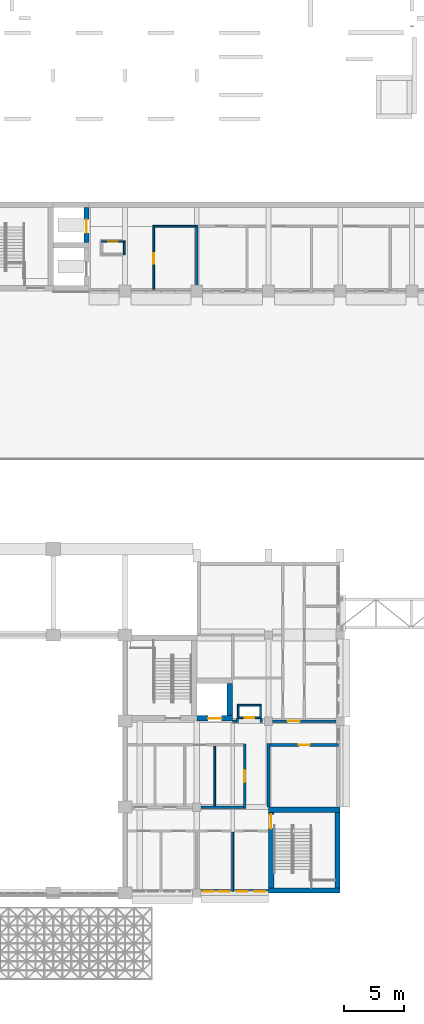
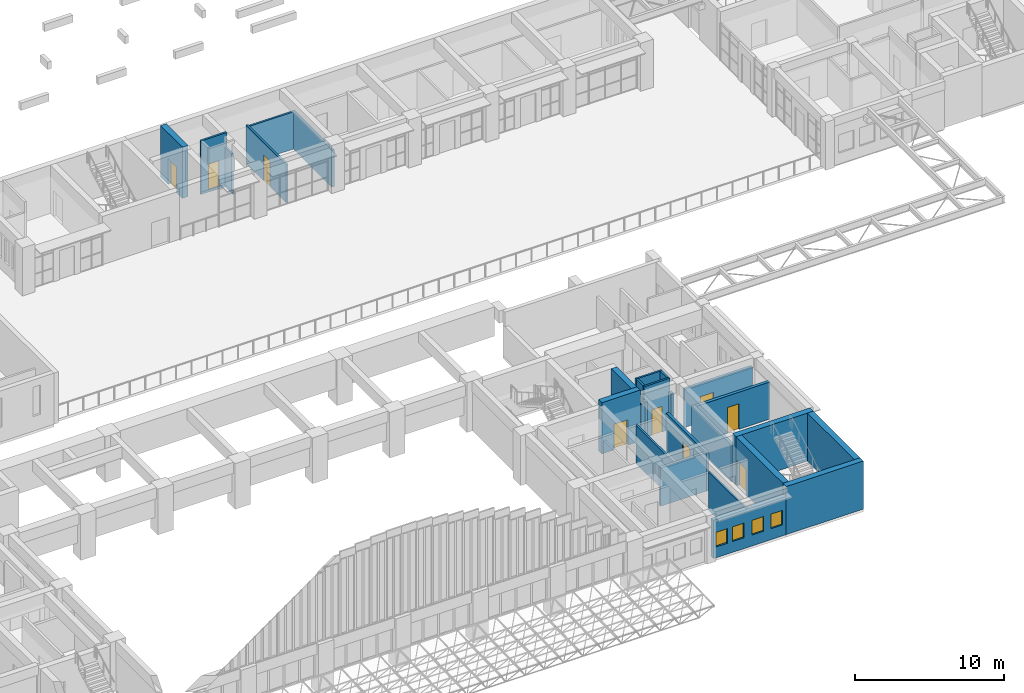
# One storey, part 67 of 103: 29 walls, 9 doors, 4 windows, 13 openings.
"""IFC4 building model written with IfcOpenShell, lengths in metres."""

from ifc_helpers import new_model, si_unit, direction, frame, frame_2d, origin, place, context, subcontext, project, spatial, rectangle, extrude, material, layer, layer_set, type_object, element, fill, save


model = new_model("IFC4")

# Units and contexts
model_context = context("Model", 3, precision=1e-05, world=origin(), true_north=direction((0.0, 1.0)))
body_context = subcontext(model_context, "Body", "Model", "MODEL_VIEW")
ifc_project = project(units=[si_unit("LENGTHUNIT", "METRE"), si_unit("AREAUNIT", "SQUARE_METRE"), si_unit("VOLUMEUNIT", "CUBIC_METRE"), si_unit("PLANEANGLEUNIT", "RADIAN"), si_unit("MASSUNIT", "GRAM", prefix="KILO")], contexts=[model_context])

# Site, building, storey
site_placement = place(None, origin())
site = spatial("IfcSite", under=ifc_project, at=site_placement, CompositionType="ELEMENT")
building_placement = place(site_placement, origin())
building = spatial("IfcBuilding", under=site, at=building_placement, Name="Laocheng Heights Fire and Rescue Headquarters", CompositionType="ELEMENT")
storey_placement = place(building_placement, frame((0.0, 0.0, 4.199951171875)))
storey = spatial("IfcBuildingStorey", under=building, at=storey_placement, Name="L01", CompositionType="ELEMENT", Elevation=4.199951171875)

# Wall, opening, door
ifc_material_1 = material(Name="Gypsum plaster")
ifc_layer_1 = layer(ifc_material_1, 0.010009765625, Name="PLASTER", Category="plaster")
ifc_material_2 = material(Name="Concrete blockwork MU10", Category="masonry")
ifc_layer_2 = layer(ifc_material_2, 0.1298828125, Name="BLOCKWORK", Category="masonry")
ifc_layer_3 = layer(ifc_material_1, 0.010009765625, Name="PLASTER", Category="plaster")
ifc_layer_set_1 = layer_set([ifc_layer_1, ifc_layer_2, ifc_layer_3], Name="Concrete blockwork MU10")
wall_type_1 = type_object("IfcWallType", Name="BLOCKWORK CORRIDOR WALL 150 EI 60 HQ WING", PredefinedType="PARTITIONING", material=ifc_layer_set_1)
wall_1_placement = place(storey_placement, frame((56.39990234375, 50.47509765625, 0.0), z_axis=(0.0, 0.0, 1.0), x_axis=(0.0, 1.0, 0.0)))
wall_1 = element("IfcWall", 1, at=wall_1_placement, inside=storey, type_object=wall_type_1, Name="Partition L01-002", PredefinedType="PARTITIONING", context=body_context, shape_type="SweptSolid", body=[
    extrude(rectangle(XDim=5.39990234375, YDim=0.14990234375, at=frame_2d((2.699951171875, 0.0))), origin(), (0.0, 0.0, 1.0), 3.150146484375),
])
opening_1_placement = place(wall_1_placement, frame((2.175048828125, 0.0, 0.0)))
opening_1 = element("IfcOpeningElement", 2, at=opening_1_placement, cuts=wall_1, Name="Opening L01-Y02", PredefinedType="OPENING", context=body_context, shape_type="SweptSolid", body=[
    extrude(rectangle(XDim=0.89990234375, YDim=2.10009765625, at=frame_2d((0.449951171875, 1.050048828125))), frame((0.0, 0.0849609375, 0.0), z_axis=(0.0, -1.0, 0.0), x_axis=(1.0, 0.0, 0.0)), (0.0, 0.0, 1.0), 0.169921875),
])
ifc_material_3 = material(Name="Timber door leaf, veneered", Category="wood")
door_type_1 = type_object("IfcDoorType", Name="TIMBER DOOR 900x2100 EI 30 HQ WING", OperationType="SINGLE_SWING_LEFT", PredefinedType="DOOR", material=ifc_material_3)
door_1_placement = place(opening_1_placement, frame((0.89990234375, 0.0, 0.0), z_axis=(0.0, 0.0, 1.0), x_axis=(-1.0, 0.0, 0.0)))
door_1 = element("IfcDoor", 3, at=door_1_placement, inside=storey, type_object=door_type_1, Name="Door L01-Y02", OperationType="SINGLE_SWING_LEFT", OverallHeight=2.10009765625, OverallWidth=0.89990234375, PredefinedType="DOOR", context=body_context, shape_type="SweptSolid", body=[
    extrude(rectangle(XDim=0.89990234375, YDim=2.10009765625, at=frame_2d((0.449951171875, 1.050048828125))), frame((0.0, 0.02490234375, 0.0), z_axis=(0.0, -1.0, 0.0), x_axis=(1.0, 0.0, 0.0)), (0.0, 0.0, 1.0), 0.050048828125),
])
fill(opening_1, door_1)

# Walls
wall_2_placement = place(storey_placement, frame((56.47509765625, 55.800048828125, 0.0), z_axis=(0.0, 0.0, 1.0), x_axis=(1.0, 0.0, 0.0)))
element("IfcWall", 4, at=wall_2_placement, inside=storey, type_object=wall_type_1, Name="Partition L01-008", PredefinedType="PARTITIONING", context=body_context, shape_type="SweptSolid", body=[
    extrude(rectangle(XDim=3.4248046875, YDim=0.14990234375, at=frame_2d((1.71240234375, 0.0))), origin(), (0.0, 0.0, 1.0), 3.050048828125),
])
ifc_material_4 = material(Name="Gypsum plaster")
ifc_layer_4 = layer(ifc_material_4, 0.010009765625, Name="PLASTER", Category="plaster")
ifc_material_5 = material(Name="Concrete blockwork MU10", Category="masonry")
ifc_layer_5 = layer(ifc_material_5, 0.179931640625, Name="BLOCKWORK", Category="masonry")
ifc_layer_6 = layer(ifc_material_4, 0.010009765625, Name="PLASTER", Category="plaster")
ifc_layer_set_2 = layer_set([ifc_layer_4, ifc_layer_5, ifc_layer_6], Name="Concrete blockwork MU10")
wall_type_2 = type_object("IfcWallType", Name="BLOCKWORK FIRE PARTITION 200 EI 120 HQ WING", PredefinedType="PARTITIONING", material=ifc_layer_set_2)
wall_3_placement = place(storey_placement, frame((60.0, 50.550048828125, 0.0), z_axis=(0.0, 0.0, 1.0), x_axis=(0.0, 1.0, 0.0)))
element("IfcWall", 5, at=wall_3_placement, inside=storey, type_object=wall_type_2, Name="Partition L01-003", PredefinedType="PARTITIONING", context=body_context, shape_type="SweptSolid", body=[
    extrude(rectangle(XDim=5.349853515625, YDim=0.199951171875, at=frame_2d((2.6748046875, 0.0))), origin(), (0.0, 0.0, 1.0), 3.050048828125),
])
ifc_material_6 = material(Name="Gypsum plaster")
ifc_layer_7 = layer(ifc_material_6, 0.010009765625, Name="PLASTER", Category="plaster")
ifc_material_7 = material(Name="Concrete blockwork MU10", Category="masonry")
ifc_layer_8 = layer(ifc_material_7, 0.179931640625, Name="BLOCKWORK", Category="masonry")
ifc_layer_9 = layer(ifc_material_6, 0.010009765625, Name="PLASTER", Category="plaster")
ifc_layer_set_3 = layer_set([ifc_layer_7, ifc_layer_8, ifc_layer_9], Name="Concrete blockwork MU10")
wall_type_3 = type_object("IfcWallType", Name="BLOCKWORK FIRE PARTITION 200 EI 60 BAY", PredefinedType="PARTITIONING", material=ifc_layer_set_3)
wall_4_placement = place(storey_placement, frame((63.39990234375, 14.300048828125, 0.0), z_axis=(0.0, 0.0, 1.0), x_axis=(0.0, 1.0, 0.0)))
element("IfcWall", 6, at=wall_4_placement, inside=storey, type_object=wall_type_3, Name="Partition L01-019", PredefinedType="PARTITIONING", context=body_context, shape_type="SweptSolid", body=[
    extrude(rectangle(XDim=0.300048828125, YDim=0.199951171875, at=frame_2d((0.14990234375, 0.0))), origin(), (0.0, 0.0, 1.0), 3.150146484375),
])

# Wall, opening, door
wall_5_placement = place(storey_placement, frame((64.0, 7.10009765625, 0.0), z_axis=(0.0, 0.0, 1.0), x_axis=(0.0, 1.0, 0.0)))
wall_5 = element("IfcWall", 7, at=wall_5_placement, inside=storey, type_object=wall_type_3, Name="Partition L01-020", PredefinedType="PARTITIONING", context=body_context, shape_type="SweptSolid", body=[
    extrude(rectangle(XDim=5.39990234375, YDim=0.199951171875, at=frame_2d((2.699951171875, 0.0))), origin(), (0.0, 0.0, 1.0), 3.150146484375),
])
opening_2_placement = place(wall_5_placement, frame((2.199951171875, 0.0, 0.0)))
opening_2 = element("IfcOpeningElement", 8, at=opening_2_placement, cuts=wall_5, Name="Opening L01-I25", PredefinedType="OPENING", context=body_context, shape_type="SweptSolid", body=[
    extrude(rectangle(XDim=1.0, YDim=2.10009765625, at=frame_2d((0.5, 1.050048828125))), frame((0.0, 0.10986328125, 0.0), z_axis=(0.0, -1.0, 0.0), x_axis=(1.0, 0.0, 0.0)), (0.0, 0.0, 1.0), 0.219970703125),
])
ifc_material_8 = material(Name="Steel door leaf, painted", Category="steel")
door_type_2 = type_object("IfcDoorType", Name="STEEL FIRE DOOR 1000x2100 EI 60 BAY", OperationType="SINGLE_SWING_LEFT", PredefinedType="DOOR", material=ifc_material_8)
door_2_placement = place(opening_2_placement, origin())
door_2 = element("IfcDoor", 9, at=door_2_placement, inside=storey, type_object=door_type_2, Name="Door L01-I25", OperationType="SINGLE_SWING_RIGHT", OverallHeight=2.10009765625, OverallWidth=1.0, PredefinedType="DOOR", context=body_context, shape_type="SweptSolid", body=[
    extrude(rectangle(XDim=1.0, YDim=2.10009765625, at=frame_2d((0.5, 1.050048828125))), frame((0.0, 0.02490234375, 0.0), z_axis=(0.0, -1.0, 0.0), x_axis=(1.0, 0.0, 0.0)), (0.0, 0.0, 1.0), 0.050048828125),
])
fill(opening_2, door_2)

# Walls
wall_6_placement = place(storey_placement, frame((65.39990234375, 14.300048828125, 0.0), z_axis=(0.0, 0.0, 1.0), x_axis=(0.0, 1.0, 0.0)))
element("IfcWall", 10, at=wall_6_placement, inside=storey, type_object=wall_type_3, Name="Partition L01-021", PredefinedType="PARTITIONING", context=body_context, shape_type="SweptSolid", body=[
    extrude(rectangle(XDim=0.300048828125, YDim=0.199951171875, at=frame_2d((0.14990234375, 0.0))), origin(), (0.0, 0.0, 1.0), 3.150146484375),
])
wall_7_placement = place(storey_placement, frame((60.35009765625, 7.199951171875, 0.0), z_axis=(0.0, 0.0, 1.0), x_axis=(1.0, 0.0, 0.0)))
element("IfcWall", 11, at=wall_7_placement, inside=storey, type_object=wall_type_3, Name="Partition L01-031", PredefinedType="PARTITIONING", context=body_context, shape_type="SweptSolid", body=[
    extrude(rectangle(XDim=3.5498046875, YDim=0.199951171875, at=frame_2d((1.77490234375, 0.0))), origin(), (0.0, 0.0, 1.0), 3.150146484375),
])
wall_8_placement = place(storey_placement, frame((63.0, 14.39990234375, 0.0), z_axis=(0.0, 0.0, 1.0), x_axis=(1.0, 0.0, 0.0)))
element("IfcWall", 12, at=wall_8_placement, inside=storey, type_object=wall_type_3, Name="Partition L01-037", PredefinedType="PARTITIONING", context=body_context, shape_type="SweptSolid", body=[
    extrude(rectangle(XDim=0.300048828125, YDim=0.199951171875, at=frame_2d((0.14990234375, 0.0))), origin(), (0.0, 0.0, 1.0), 3.150146484375),
])

# Wall, opening, door
wall_9_placement = place(storey_placement, frame((66.35009765625, 14.39990234375, 0.0), z_axis=(0.0, 0.0, 1.0), x_axis=(1.0, 0.0, 0.0)))
wall_9 = element("IfcWall", 13, at=wall_9_placement, inside=storey, type_object=wall_type_3, Name="Partition L01-038", PredefinedType="PARTITIONING", context=body_context, shape_type="SweptSolid", body=[
    extrude(rectangle(XDim=5.2998046875, YDim=0.199951171875, at=frame_2d((2.64990234375, 0.0))), origin(), (0.0, 0.0, 1.0), 3.150146484375),
])
opening_3_placement = place(wall_9_placement, frame((1.25, 0.0, 0.0)))
opening_3 = element("IfcOpeningElement", 14, at=opening_3_placement, cuts=wall_9, Name="Opening L01-I12", PredefinedType="OPENING", context=body_context, shape_type="SweptSolid", body=[
    extrude(rectangle(XDim=1.0, YDim=2.10009765625, at=frame_2d((0.5, 1.050048828125))), frame((0.0, 0.10986328125, 0.0), z_axis=(0.0, -1.0, 0.0), x_axis=(1.0, 0.0, 0.0)), (0.0, 0.0, 1.0), 0.219970703125),
])
door_3_placement = place(opening_3_placement, origin())
door_3 = element("IfcDoor", 15, at=door_3_placement, inside=storey, type_object=door_type_2, Name="Door L01-I12", OperationType="SINGLE_SWING_LEFT", OverallHeight=2.10009765625, OverallWidth=1.0, PredefinedType="DOOR", context=body_context, shape_type="SweptSolid", body=[
    extrude(rectangle(XDim=1.0, YDim=2.10009765625, at=frame_2d((0.5, 1.050048828125))), frame((0.0, 0.02490234375, 0.0), z_axis=(0.0, -1.0, 0.0), x_axis=(1.0, 0.0, 0.0)), (0.0, 0.0, 1.0), 0.050048828125),
])
fill(opening_3, door_3)

# Walls
ifc_material_9 = material(Name="Gypsum plaster")
ifc_layer_10 = layer(ifc_material_9, 0.010009765625, Name="PLASTER", Category="plaster")
ifc_material_10 = material(Name="Concrete blockwork MU10", Category="masonry")
ifc_layer_11 = layer(ifc_material_10, 0.1298828125, Name="BLOCKWORK", Category="masonry")
ifc_layer_12 = layer(ifc_material_9, 0.010009765625, Name="PLASTER", Category="plaster")
ifc_layer_set_4 = layer_set([ifc_layer_10, ifc_layer_11, ifc_layer_12], Name="Concrete blockwork MU10")
wall_type_4 = type_object("IfcWallType", Name="BLOCKWORK PARTITION 150 EI 45 BAY", PredefinedType="PARTITIONING", material=ifc_layer_set_4)
wall_10_placement = place(storey_placement, frame((61.5, 7.300048828125, 0.0), z_axis=(0.0, 0.0, 1.0), x_axis=(0.0, 1.0, 0.0)))
element("IfcWall", 16, at=wall_10_placement, inside=storey, type_object=wall_type_4, Name="Partition L01-016", PredefinedType="PARTITIONING", context=body_context, shape_type="SweptSolid", body=[
    extrude(rectangle(XDim=5.0, YDim=0.14990234375, at=frame_2d((2.5, 0.0))), origin(), (0.0, 0.0, 1.0), 3.150146484375),
])
wall_11_placement = place(storey_placement, frame((63.0, 0.14990234375, 0.0), z_axis=(0.0, 0.0, 1.0), x_axis=(0.0, 1.0, 0.0)))
element("IfcWall", 17, at=wall_11_placement, inside=storey, type_object=wall_type_4, Name="Partition L01-017", PredefinedType="PARTITIONING", context=body_context, shape_type="SweptSolid", body=[
    extrude(rectangle(XDim=4.9501953125, YDim=0.14990234375, at=frame_2d((2.47509765625, 0.0))), origin(), (0.0, 0.0, 1.0), 3.150146484375),
])
ifc_material_11 = material(Name="Gypsum plaster")
ifc_layer_13 = layer(ifc_material_11, 0.010009765625, Name="PLASTER", Category="plaster")
ifc_material_12 = material(Name="Clay brick masonry MU10", Category="masonry")
ifc_layer_14 = layer(ifc_material_12, 0.219970703125, Name="BLOCKWORK", Category="masonry")
ifc_layer_15 = layer(ifc_material_11, 0.010009765625, Name="PLASTER", Category="plaster")
ifc_layer_set_5 = layer_set([ifc_layer_13, ifc_layer_14, ifc_layer_15], Name="Clay brick masonry MU10")
wall_type_5 = type_object("IfcWallType", Name="CLAY BRICK WALL 240 EI 120 BAY", PredefinedType="PARTITIONING", material=ifc_layer_set_5)
wall_12_placement = place(storey_placement, frame((66.0, 7.199951171875, 0.0), z_axis=(0.0, 0.0, 1.0), x_axis=(0.0, 1.0, 0.0)))
element("IfcWall", 18, at=wall_12_placement, inside=storey, type_object=wall_type_5, Name="Partition L01-022", PredefinedType="PARTITIONING", context=body_context, shape_type="SweptSolid", body=[
    extrude(rectangle(XDim=5.320068359375, YDim=0.239990234375, at=frame_2d((2.66015625, 0.0))), origin(), (0.0, 0.0, 1.0), 3.050048828125),
])

# Wall, opening, door
wall_13_placement = place(storey_placement, frame((66.1201171875, 12.39990234375, 0.0), z_axis=(0.0, 0.0, 1.0), x_axis=(1.0, 0.0, 0.0)))
wall_13 = element("IfcWall", 19, at=wall_13_placement, inside=storey, type_object=wall_type_5, Name="Partition L01-035", PredefinedType="PARTITIONING", context=body_context, shape_type="SweptSolid", body=[
    extrude(rectangle(XDim=5.72998046875, YDim=0.239990234375, at=frame_2d((2.864990234375, 0.0))), origin(), (0.0, 0.0, 1.0), 3.050048828125),
])
opening_4_placement = place(wall_13_placement, frame((2.4150390625, 0.0, 0.0)))
opening_4 = element("IfcOpeningElement", 20, at=opening_4_placement, cuts=wall_13, Name="Opening L01-I06", PredefinedType="OPENING", context=body_context, shape_type="SweptSolid", body=[
    extrude(rectangle(XDim=0.89990234375, YDim=2.10009765625, at=frame_2d((0.449951171875, 1.050048828125))), frame((0.0, 0.1298828125, 0.0), z_axis=(0.0, -1.0, 0.0), x_axis=(1.0, 0.0, 0.0)), (0.0, 0.0, 1.0), 0.260009765625),
])
ifc_material_13 = material(Name="Steel door leaf, painted", Category="steel")
door_type_3 = type_object("IfcDoorType", Name="STEEL FIRE DOOR 900x2100 EI 120 BAY", OperationType="SINGLE_SWING_LEFT", PredefinedType="DOOR", material=ifc_material_13)
door_4_placement = place(opening_4_placement, frame((0.89990234375, 0.0, 0.0), z_axis=(0.0, 0.0, 1.0), x_axis=(-1.0, 0.0, 0.0)))
door_4 = element("IfcDoor", 21, at=door_4_placement, inside=storey, type_object=door_type_3, Name="Door L01-I06", OperationType="SINGLE_SWING_LEFT", OverallHeight=2.10009765625, OverallWidth=0.89990234375, PredefinedType="DOOR", context=body_context, shape_type="SweptSolid", body=[
    extrude(rectangle(XDim=0.89990234375, YDim=2.10009765625, at=frame_2d((0.449951171875, 1.050048828125))), frame((0.0, 0.02490234375, 0.0), z_axis=(0.0, -1.0, 0.0), x_axis=(1.0, 0.0, 0.0)), (0.0, 0.0, 1.0), 0.050048828125),
])
fill(opening_4, door_4)

# Wall, openings, windows
ifc_material_14 = material(Name="Precast concrete C40/50", Category="concrete")
ifc_layer_16 = layer(ifc_material_14, 0.300048828125)
ifc_layer_set_6 = layer_set([ifc_layer_16], Name="Precast concrete C40/50")
wall_type_6 = type_object("IfcWallType", Name="PRECAST PANEL WALL 300 EAST FLANK", PredefinedType="SOLIDWALL", material=ifc_layer_set_6)
wall_14_placement = place(storey_placement, frame((60.35009765625, 0.14990234375, 0.0), z_axis=(0.0, 0.0, 1.0), x_axis=(1.0, 0.0, 0.0)))
wall_14 = element("IfcWall", 22, at=wall_14_placement, inside=storey, type_object=wall_type_6, Name="Flank E wall L01", PredefinedType="SOLIDWALL", context=body_context, shape_type="SweptSolid", body=[
    extrude(rectangle(XDim=5.64990234375, YDim=0.300048828125, at=frame_2d((2.824951171875, 0.0))), origin(), (0.0, 0.0, 1.0), 3.150146484375),
])
opening_5_placement = place(wall_14_placement, frame((0.193603515625, 0.0, 0.89990234375)))
opening_5 = element("IfcOpeningElement", 23, at=opening_5_placement, cuts=wall_14, Name="Opening N2-E", PredefinedType="OPENING", context=body_context, shape_type="SweptSolid", body=[
    extrude(rectangle(XDim=0.89990234375, YDim=1.199951171875, at=frame_2d((0.449951171875, 0.60009765625))), frame((0.0, 0.159912109375, 0.0), z_axis=(0.0, -1.0, 0.0), x_axis=(1.0, 0.0, 0.0)), (0.0, 0.0, 1.0), 0.320068359375),
])
opening_6_placement = place(wall_14_placement, frame((1.481201171875, 0.0, 0.89990234375)))
opening_6 = element("IfcOpeningElement", 24, at=opening_6_placement, cuts=wall_14, Name="Opening N2-E", PredefinedType="OPENING", context=body_context, shape_type="SweptSolid", body=[
    extrude(rectangle(XDim=0.89990234375, YDim=1.199951171875, at=frame_2d((0.449951171875, 0.60009765625))), frame((0.0, 0.159912109375, 0.0), z_axis=(0.0, -1.0, 0.0), x_axis=(1.0, 0.0, 0.0)), (0.0, 0.0, 1.0), 0.320068359375),
])
opening_7_placement = place(wall_14_placement, frame((3.00634765625, 0.0, 0.89990234375)))
opening_7 = element("IfcOpeningElement", 25, at=opening_7_placement, cuts=wall_14, Name="Opening N2-E", PredefinedType="OPENING", context=body_context, shape_type="SweptSolid", body=[
    extrude(rectangle(XDim=0.89990234375, YDim=1.199951171875, at=frame_2d((0.449951171875, 0.60009765625))), frame((0.0, 0.159912109375, 0.0), z_axis=(0.0, -1.0, 0.0), x_axis=(1.0, 0.0, 0.0)), (0.0, 0.0, 1.0), 0.320068359375),
])
opening_8_placement = place(wall_14_placement, frame((4.46875, 0.0, 0.89990234375)))
opening_8 = element("IfcOpeningElement", 26, at=opening_8_placement, cuts=wall_14, Name="Opening N2-E", PredefinedType="OPENING", context=body_context, shape_type="SweptSolid", body=[
    extrude(rectangle(XDim=0.89990234375, YDim=1.199951171875, at=frame_2d((0.449951171875, 0.60009765625))), frame((0.0, 0.159912109375, 0.0), z_axis=(0.0, -1.0, 0.0), x_axis=(1.0, 0.0, 0.0)), (0.0, 0.0, 1.0), 0.320068359375),
])
ifc_material_15 = material(Name="Low-e double glazing in thermally broken aluminium frame", Category="aluminium")
window_type = type_object("IfcWindowType", Name="PUNCHED WINDOW STEEL FRAME 900 x 1200 SILL 900", PartitioningType="SINGLE_PANEL", PredefinedType="WINDOW", material=ifc_material_15)
window_1_placement = place(opening_5_placement, origin())
window_1 = element("IfcWindow", 27, at=window_1_placement, inside=storey, type_object=window_type, Name="Flank_E window L01", OverallHeight=1.199951171875, OverallWidth=0.89990234375, PartitioningType="SINGLE_PANEL", PredefinedType="WINDOW", context=body_context, shape_type="SweptSolid", body=[
    extrude(rectangle(XDim=0.89990234375, YDim=1.199951171875, at=frame_2d((0.449951171875, 0.60009765625))), frame((0.0, 0.030029296875, 0.0), z_axis=(0.0, -1.0, 0.0), x_axis=(1.0, 0.0, 0.0)), (0.0, 0.0, 1.0), 0.06005859375),
])
fill(opening_5, window_1)
window_2_placement = place(opening_6_placement, origin())
window_2 = element("IfcWindow", 28, at=window_2_placement, inside=storey, type_object=window_type, Name="Flank_E window L01", OverallHeight=1.199951171875, OverallWidth=0.89990234375, PartitioningType="SINGLE_PANEL", PredefinedType="WINDOW", context=body_context, shape_type="SweptSolid", body=[
    extrude(rectangle(XDim=0.89990234375, YDim=1.199951171875, at=frame_2d((0.449951171875, 0.60009765625))), frame((0.0, 0.030029296875, 0.0), z_axis=(0.0, -1.0, 0.0), x_axis=(1.0, 0.0, 0.0)), (0.0, 0.0, 1.0), 0.06005859375),
])
fill(opening_6, window_2)
window_3_placement = place(opening_7_placement, origin())
window_3 = element("IfcWindow", 29, at=window_3_placement, inside=storey, type_object=window_type, Name="Flank_E window L01", OverallHeight=1.199951171875, OverallWidth=0.89990234375, PartitioningType="SINGLE_PANEL", PredefinedType="WINDOW", context=body_context, shape_type="SweptSolid", body=[
    extrude(rectangle(XDim=0.89990234375, YDim=1.199951171875, at=frame_2d((0.449951171875, 0.60009765625))), frame((0.0, 0.030029296875, 0.0), z_axis=(0.0, -1.0, 0.0), x_axis=(1.0, 0.0, 0.0)), (0.0, 0.0, 1.0), 0.06005859375),
])
fill(opening_7, window_3)
window_4_placement = place(opening_8_placement, origin())
window_4 = element("IfcWindow", 30, at=window_4_placement, inside=storey, type_object=window_type, Name="Flank_E window L01", OverallHeight=1.199951171875, OverallWidth=0.89990234375, PartitioningType="SINGLE_PANEL", PredefinedType="WINDOW", context=body_context, shape_type="SweptSolid", body=[
    extrude(rectangle(XDim=0.89990234375, YDim=1.199951171875, at=frame_2d((0.449951171875, 0.60009765625))), frame((0.0, 0.030029296875, 0.0), z_axis=(0.0, -1.0, 0.0), x_axis=(1.0, 0.0, 0.0)), (0.0, 0.0, 1.0), 0.06005859375),
])
fill(opening_8, window_4)

# Wall, opening, door
ifc_material_16 = material(Name="Concrete C50", Category="concrete")
ifc_layer_17 = layer(ifc_material_16, 0.449951171875)
ifc_layer_set_7 = layer_set([ifc_layer_17], Name="Concrete C50")
wall_type_7 = type_object("IfcWallType", Name="RC LIFT SHAFT WALL 450", PredefinedType="SHEAR", material=ifc_layer_set_7)
wall_15_placement = place(storey_placement, frame((60.0, 14.625, 0.0), z_axis=(0.0, 0.0, 1.0), x_axis=(1.0, 0.0, 0.0)))
wall_15 = element("IfcWall", 31, at=wall_15_placement, inside=storey, type_object=wall_type_7, Name="Lift shaft wall", PredefinedType="SHEAR", context=body_context, shape_type="SweptSolid", body=[
    extrude(rectangle(XDim=3.0, YDim=0.449951171875, at=frame_2d((1.5, 0.0))), origin(), (0.0, 0.0, 1.0), 4.199951171875),
])
opening_9_placement = place(wall_15_placement, frame((0.949951171875, 0.0, 0.0)))
opening_9 = element("IfcOpeningElement", 32, at=opening_9_placement, cuts=wall_15, Name="Opening L01-K06", PredefinedType="OPENING", context=body_context, shape_type="SweptSolid", body=[
    extrude(rectangle(XDim=1.10009765625, YDim=2.10009765625, at=frame_2d((0.550048828125, 1.050048828125))), frame((0.0, 0.23486328125, 0.0), z_axis=(0.0, -1.0, 0.0), x_axis=(1.0, 0.0, 0.0)), (0.0, 0.0, 1.0), 0.469970703125),
])
ifc_material_17 = material(Name="Stainless steel", Category="steel")
door_type_4 = type_object("IfcDoorType", Name="LANDING DOOR E-L1 SLIDING 1100x2100 E 120", OperationType="DOUBLE_DOOR_SLIDING", PredefinedType="DOOR", material=ifc_material_17)
door_5_placement = place(opening_9_placement, origin())
door_5 = element("IfcDoor", 33, at=door_5_placement, inside=storey, type_object=door_type_4, Name="Landing door E-L1", OperationType="DOUBLE_DOOR_SLIDING", OverallHeight=2.10009765625, OverallWidth=1.10009765625, PredefinedType="DOOR", context=body_context, shape_type="SweptSolid", body=[
    extrude(rectangle(XDim=1.10009765625, YDim=2.10009765625, at=frame_2d((0.550048828125, 1.050048828125))), frame((0.0, 0.02490234375, 0.0), z_axis=(0.0, -1.0, 0.0), x_axis=(1.0, 0.0, 0.0)), (0.0, 0.0, 1.0), 0.050048828125),
])
fill(opening_9, door_5)

# Wall
wall_16_placement = place(storey_placement, frame((62.77490234375, 14.85009765625, 0.0), z_axis=(0.0, 0.0, 1.0), x_axis=(0.0, 1.0, 0.0)))
element("IfcWall", 34, at=wall_16_placement, inside=storey, type_object=wall_type_7, Name="Lift shaft wall", PredefinedType="SHEAR", context=body_context, shape_type="SweptSolid", body=[
    extrude(rectangle(XDim=2.699951171875, YDim=0.449951171875, at=frame_2d((1.35009765625, 0.0))), origin(), (0.0, 0.0, 1.0), 4.199951171875),
])

# Wall, opening, door
wall_17_placement = place(storey_placement, frame((50.77490234375, 54.449951171875, 0.0), z_axis=(0.0, 0.0, 1.0), x_axis=(0.0, 1.0, 0.0)))
wall_17 = element("IfcWall", 35, at=wall_17_placement, inside=storey, type_object=wall_type_7, Name="Lift shaft wall", PredefinedType="SHEAR", context=body_context, shape_type="SweptSolid", body=[
    extrude(rectangle(XDim=2.925048828125, YDim=0.449951171875, at=frame_2d((1.46240234375, 0.0))), origin(), (0.0, 0.0, 1.0), 4.199951171875),
])
opening_10_placement = place(wall_17_placement, frame((0.800048828125, 0.0, 0.0)))
opening_10 = element("IfcOpeningElement", 36, at=opening_10_placement, cuts=wall_17, Name="Opening L01-K24", PredefinedType="OPENING", context=body_context, shape_type="SweptSolid", body=[
    extrude(rectangle(XDim=1.10009765625, YDim=2.10009765625, at=frame_2d((0.550048828125, 1.050048828125))), frame((0.0, 0.23486328125, 0.0), z_axis=(0.0, -1.0, 0.0), x_axis=(1.0, 0.0, 0.0)), (0.0, 0.0, 1.0), 0.469970703125),
])
ifc_material_18 = material(Name="Stainless steel", Category="steel")
door_type_5 = type_object("IfcDoorType", Name="LANDING DOOR H-L1 SLIDING 1100x2100 E 120", OperationType="DOUBLE_DOOR_SLIDING", PredefinedType="DOOR", material=ifc_material_18)
door_6_placement = place(opening_10_placement, origin())
door_6 = element("IfcDoor", 37, at=door_6_placement, inside=storey, type_object=door_type_5, Name="Landing door H-L1", OperationType="DOUBLE_DOOR_SLIDING", OverallHeight=2.10009765625, OverallWidth=1.10009765625, PredefinedType="DOOR", context=body_context, shape_type="SweptSolid", body=[
    extrude(rectangle(XDim=1.10009765625, YDim=2.10009765625, at=frame_2d((0.550048828125, 1.050048828125))), frame((0.0, 0.02490234375, 0.0), z_axis=(0.0, -1.0, 0.0), x_axis=(1.0, 0.0, 0.0)), (0.0, 0.0, 1.0), 0.050048828125),
])
fill(opening_10, door_6)

# Walls
ifc_material_19 = material(Name="Concrete C50", Category="concrete")
ifc_layer_18 = layer(ifc_material_19, 0.449951171875)
ifc_layer_set_8 = layer_set([ifc_layer_18], Name="Concrete C50")
wall_type_8 = type_object("IfcWallType", Name="RC STAIR ENCLOSURE WALL 450", PredefinedType="SHEAR", material=ifc_layer_set_8)
for number, where, z_axis, x_axis, name in (
    (38, (66.0, 0.22509765625, 0.0), (0.0, 0.0, 1.0), (1.0, 0.0, 0.0), "Stair enclosure wall"),
    (39, (66.0, 6.97509765625, 0.0), (0.0, 0.0, 1.0), (1.0, 0.0, 0.0), "Stair enclosure wall"),
):
    element("IfcWall", number, at=place(storey_placement, frame(where, z_axis=z_axis, x_axis=x_axis)), inside=storey, type_object=wall_type_8, Name=name, PredefinedType="SHEAR", context=body_context, shape_type="SweptSolid", body=[
        extrude(rectangle(XDim=6.0, YDim=0.449951171875, at=frame_2d((3.0, 0.0))), origin(), (0.0, 0.0, 1.0), 3.949951171875),
    ])

# Wall, opening, door
wall_18_placement = place(storey_placement, frame((66.22509765625, 0.449951171875, 0.0), z_axis=(0.0, 0.0, 1.0), x_axis=(0.0, 1.0, 0.0)))
wall_18 = element("IfcWall", 40, at=wall_18_placement, inside=storey, type_object=wall_type_8, Name="Stair enclosure wall", PredefinedType="SHEAR", context=body_context, shape_type="SweptSolid", body=[
    extrude(rectangle(XDim=6.300048828125, YDim=0.449951171875, at=frame_2d((3.14990234375, 0.0))), origin(), (0.0, 0.0, 1.0), 3.949951171875),
])
opening_11_placement = place(wall_18_placement, frame((4.949951171875, 0.0, 0.0)))
opening_11 = element("IfcOpeningElement", 41, at=opening_11_placement, cuts=wall_18, Name="Opening L01-K08", PredefinedType="OPENING", context=body_context, shape_type="SweptSolid", body=[
    extrude(rectangle(XDim=1.199951171875, YDim=2.10009765625, at=frame_2d((0.60009765625, 1.050048828125))), frame((0.0, 0.23486328125, 0.0), z_axis=(0.0, -1.0, 0.0), x_axis=(1.0, 0.0, 0.0)), (0.0, 0.0, 1.0), 0.469970703125),
])
ifc_material_20 = material(Name="Painted steel", Category="steel")
door_type_6 = type_object("IfcDoorType", Name="FIRE DOOR 1200x2100 EI 60", OperationType="SINGLE_SWING_LEFT", PredefinedType="DOOR", material=ifc_material_20)
door_7_placement = place(opening_11_placement, frame((1.199951171875, 0.0, 0.0), z_axis=(0.0, 0.0, 1.0), x_axis=(-1.0, 0.0, 0.0)))
door_7 = element("IfcDoor", 42, at=door_7_placement, inside=storey, type_object=door_type_6, Name="Stair E2 door", OperationType="SINGLE_SWING_LEFT", OverallHeight=2.10009765625, OverallWidth=1.199951171875, PredefinedType="DOOR", context=body_context, shape_type="SweptSolid", body=[
    extrude(rectangle(XDim=1.199951171875, YDim=2.10009765625, at=frame_2d((0.60009765625, 1.050048828125))), frame((0.0, 0.02490234375, 0.0), z_axis=(0.0, -1.0, 0.0), x_axis=(1.0, 0.0, 0.0)), (0.0, 0.0, 1.0), 0.050048828125),
])
fill(opening_11, door_7)

# Walls
wall_19_placement = place(storey_placement, frame((71.77490234375, 0.449951171875, 0.0), z_axis=(0.0, 0.0, 1.0), x_axis=(0.0, 1.0, 0.0)))
element("IfcWall", 43, at=wall_19_placement, inside=storey, type_object=wall_type_8, Name="Stair enclosure wall", PredefinedType="SHEAR", context=body_context, shape_type="SweptSolid", body=[
    extrude(rectangle(XDim=6.300048828125, YDim=0.449951171875, at=frame_2d((3.14990234375, 0.0))), origin(), (0.0, 0.0, 1.0), 3.949951171875),
])
ifc_material_21 = material(Name="Concrete C30", Category="concrete")
ifc_layer_19 = layer(ifc_material_21, 0.14990234375)
ifc_layer_set_9 = layer_set([ifc_layer_19], Name="Concrete C30")
wall_type_9 = type_object("IfcWallType", Name="RISER KERB WALL 150", PredefinedType="SOLIDWALL", material=ifc_layer_set_9)
wall_20_placement = place(storey_placement, frame((52.0, 54.52490234375, -0.199951171875), z_axis=(0.0, 0.0, 1.0), x_axis=(1.0, 0.0, 0.0)))
element("IfcWall", 44, at=wall_20_placement, inside=storey, type_object=wall_type_9, Name="Riser kerb wall", PredefinedType="SOLIDWALL", context=body_context, shape_type="SweptSolid", body=[
    extrude(rectangle(XDim=2.0, YDim=0.14990234375, at=frame_2d((1.0, 0.0))), origin(), (0.0, 0.0, 1.0), 0.199951171875),
])
wall_21_placement = place(storey_placement, frame((53.925048828125, 53.39990234375, -0.199951171875), z_axis=(0.0, 0.0, 1.0), x_axis=(0.0, 1.0, 0.0)))
element("IfcWall", 45, at=wall_21_placement, inside=storey, type_object=wall_type_9, Name="Riser kerb wall", PredefinedType="SOLIDWALL", context=body_context, shape_type="SweptSolid", body=[
    extrude(rectangle(XDim=1.050048828125, YDim=0.14990234375, at=frame_2d((0.52490234375, 0.0))), origin(), (0.0, 0.0, 1.0), 0.199951171875),
])

# Wall, opening, door
ifc_material_22 = material(Name="Concrete C30", Category="concrete")
ifc_layer_20 = layer(ifc_material_22, 0.14990234375)
ifc_layer_set_10 = layer_set([ifc_layer_20], Name="Concrete C30")
wall_type_10 = type_object("IfcWallType", Name="RISER SHAFT WALL 150", PredefinedType="SOLIDWALL", material=ifc_layer_set_10)
wall_22_placement = place(storey_placement, frame((63.39990234375, 14.675048828125, 0.0), z_axis=(0.0, 0.0, 1.0), x_axis=(1.0, 0.0, 0.0)))
wall_22 = element("IfcWall", 46, at=wall_22_placement, inside=storey, type_object=wall_type_10, Name="Riser shaft wall", PredefinedType="SOLIDWALL", context=body_context, shape_type="SweptSolid", body=[
    extrude(rectangle(XDim=2.0, YDim=0.14990234375, at=frame_2d((1.0, 0.0))), origin(), (0.0, 0.0, 1.0), 4.199951171875),
])
opening_12_placement = place(wall_22_placement, frame((0.60009765625, 0.0, 0.0)))
opening_12 = element("IfcOpeningElement", 47, at=opening_12_placement, cuts=wall_22, Name="Opening L01-K07", PredefinedType="OPENING", context=body_context, shape_type="SweptSolid", body=[
    extrude(rectangle(XDim=0.800048828125, YDim=2.10009765625, at=frame_2d((0.39990234375, 1.050048828125))), frame((0.0, 0.0849609375, 0.0), z_axis=(0.0, -1.0, 0.0), x_axis=(1.0, 0.0, 0.0)), (0.0, 0.0, 1.0), 0.169921875),
])
ifc_material_23 = material(Name="Painted steel", Category="steel")
door_type_7 = type_object("IfcDoorType", Name="RISER ACCESS DOOR 800x2100 EI 30", OperationType="SINGLE_SWING_LEFT", PredefinedType="DOOR", material=ifc_material_23)
door_8_placement = place(opening_12_placement, frame((0.800048828125, 0.0, 0.0), z_axis=(0.0, 0.0, 1.0), x_axis=(-1.0, 0.0, 0.0)))
door_8 = element("IfcDoor", 48, at=door_8_placement, inside=storey, type_object=door_type_7, Name="Riser RE1 access door", OperationType="SINGLE_SWING_RIGHT", OverallHeight=2.10009765625, OverallWidth=0.800048828125, PredefinedType="DOOR", context=body_context, shape_type="SweptSolid", body=[
    extrude(rectangle(XDim=0.800048828125, YDim=2.10009765625, at=frame_2d((0.39990234375, 1.050048828125))), frame((0.0, 0.02490234375, 0.0), z_axis=(0.0, -1.0, 0.0), x_axis=(1.0, 0.0, 0.0)), (0.0, 0.0, 1.0), 0.050048828125),
])
fill(opening_12, door_8)

# Walls
wall_23_placement = place(storey_placement, frame((63.39990234375, 15.72509765625, 0.0), z_axis=(0.0, 0.0, 1.0), x_axis=(1.0, 0.0, 0.0)))
element("IfcWall", 49, at=wall_23_placement, inside=storey, type_object=wall_type_10, Name="Riser shaft wall", PredefinedType="SOLIDWALL", context=body_context, shape_type="SweptSolid", body=[
    extrude(rectangle(XDim=2.0, YDim=0.14990234375, at=frame_2d((1.0, 0.0))), origin(), (0.0, 0.0, 1.0), 4.199951171875),
])
for number, where, z_axis, x_axis, name in (
    (50, (63.47509765625, 14.75, 0.0), (0.0, 0.0, 1.0), (0.0, 1.0, 0.0), "Riser shaft wall"),
    (51, (65.324951171875, 14.75, 0.0), (0.0, 0.0, 1.0), (0.0, 1.0, 0.0), "Riser shaft wall"),
):
    element("IfcWall", number, at=place(storey_placement, frame(where, z_axis=z_axis, x_axis=x_axis)), inside=storey, type_object=wall_type_10, Name=name, PredefinedType="SOLIDWALL", context=body_context, shape_type="SweptSolid", body=[
        extrude(rectangle(XDim=0.89990234375, YDim=0.14990234375, at=frame_2d((0.449951171875, 0.0))), origin(), (0.0, 0.0, 1.0), 4.199951171875),
    ])

# Wall, opening, door
wall_24_placement = place(storey_placement, frame((52.0, 54.52490234375, 0.0), z_axis=(0.0, 0.0, 1.0), x_axis=(1.0, 0.0, 0.0)))
wall_24 = element("IfcWall", 52, at=wall_24_placement, inside=storey, type_object=wall_type_10, Name="Riser shaft wall", PredefinedType="SOLIDWALL", context=body_context, shape_type="SweptSolid", body=[
    extrude(rectangle(XDim=2.0, YDim=0.14990234375, at=frame_2d((1.0, 0.0))), origin(), (0.0, 0.0, 1.0), 4.199951171875),
])
opening_13_placement = place(wall_24_placement, frame((0.60009765625, 0.0, 0.0)))
opening_13 = element("IfcOpeningElement", 53, at=opening_13_placement, cuts=wall_24, Name="Opening L01-K26", PredefinedType="OPENING", context=body_context, shape_type="SweptSolid", body=[
    extrude(rectangle(XDim=0.800048828125, YDim=2.10009765625, at=frame_2d((0.39990234375, 1.050048828125))), frame((0.0, 0.0849609375, 0.0), z_axis=(0.0, -1.0, 0.0), x_axis=(1.0, 0.0, 0.0)), (0.0, 0.0, 1.0), 0.169921875),
])
door_9_placement = place(opening_13_placement, origin())
door_9 = element("IfcDoor", 54, at=door_9_placement, inside=storey, type_object=door_type_7, Name="Riser RH1 access door", OperationType="SINGLE_SWING_LEFT", OverallHeight=2.10009765625, OverallWidth=0.800048828125, PredefinedType="DOOR", context=body_context, shape_type="SweptSolid", body=[
    extrude(rectangle(XDim=0.800048828125, YDim=2.10009765625, at=frame_2d((0.39990234375, 1.050048828125))), frame((0.0, 0.02490234375, 0.0), z_axis=(0.0, -1.0, 0.0), x_axis=(1.0, 0.0, 0.0)), (0.0, 0.0, 1.0), 0.050048828125),
])
fill(opening_13, door_9)

# Wall
wall_25_placement = place(storey_placement, frame((53.925048828125, 53.550048828125, 0.0), z_axis=(0.0, 0.0, 1.0), x_axis=(0.0, 1.0, 0.0)))
element("IfcWall", 55, at=wall_25_placement, inside=storey, type_object=wall_type_10, Name="Riser shaft wall", PredefinedType="SOLIDWALL", context=body_context, shape_type="SweptSolid", body=[
    extrude(rectangle(XDim=0.89990234375, YDim=0.14990234375, at=frame_2d((0.449951171875, 0.0))), origin(), (0.0, 0.0, 1.0), 3.050048828125),
])

save(model, "model.ifc")
